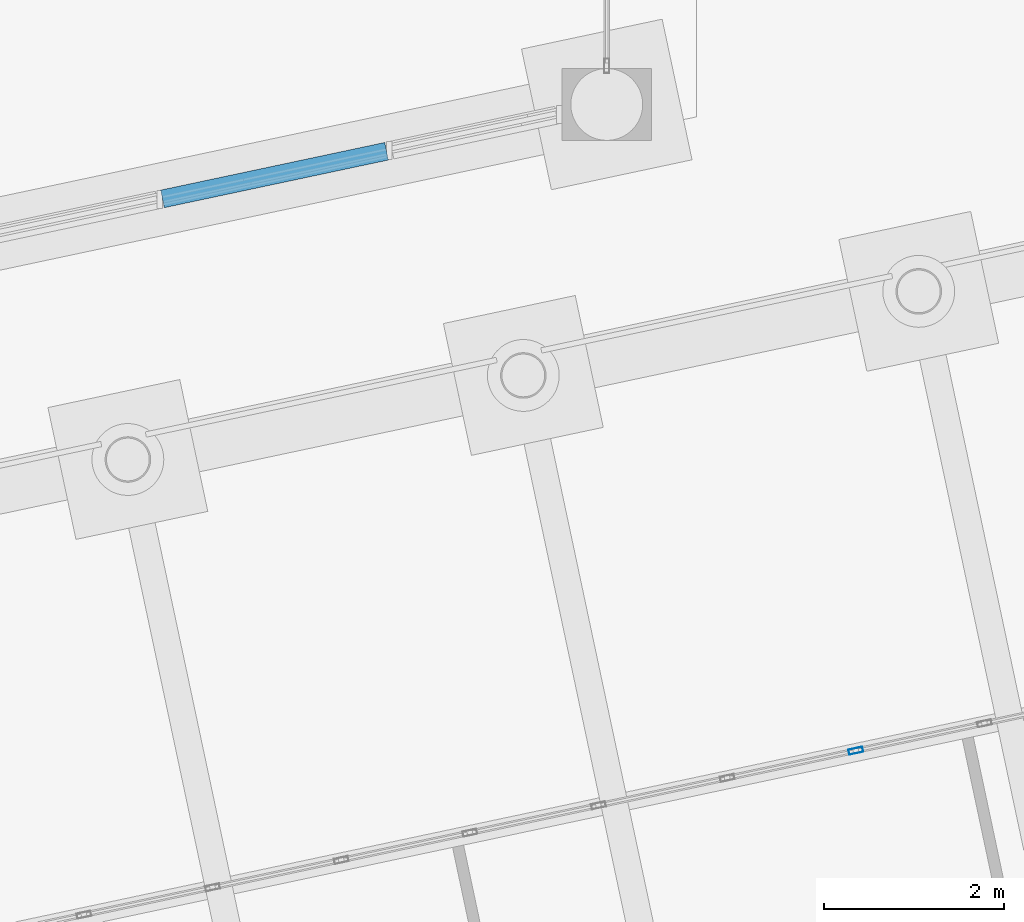
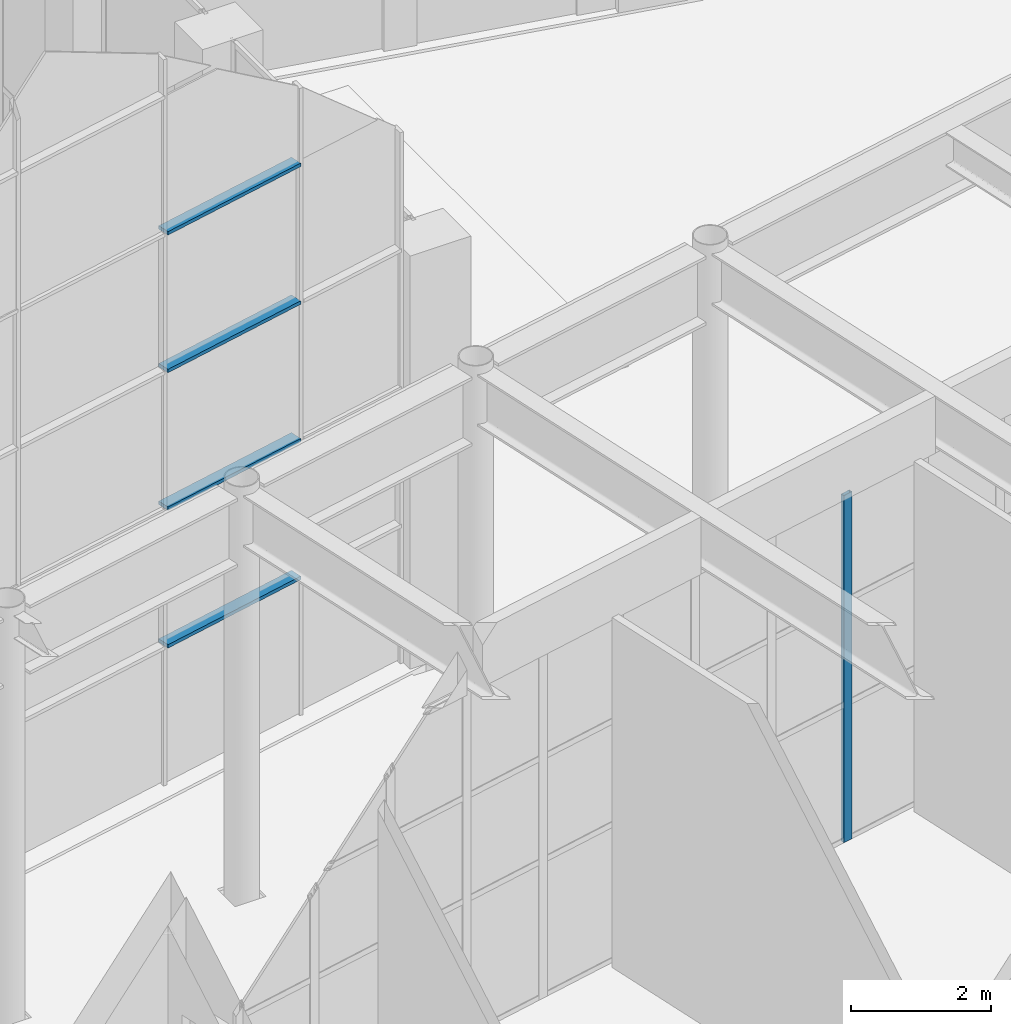
# One storey, part 110 of 239: 5 members, 2 elements without a shape of their own.
"""IFC4 building model written with IfcOpenShell, lengths in metres."""

from ifc_helpers import new_model, si_unit, direction, frame, origin, origin_2d, place, context, subcontext, project, spatial, rectangle, hollow_rectangle, extrude, material, material_profile, profile_set, type_object, element, aggregate, save


model = new_model("IFC4")

# Units and contexts
model_context = context("Model", 3, precision=1e-05, world=origin(), true_north=direction((0.0, 1.0)))
body_context = subcontext(model_context, "Body", "Model", "MODEL_VIEW")
ifc_project = project(units=[si_unit("LENGTHUNIT", "METRE"), si_unit("AREAUNIT", "SQUARE_METRE"), si_unit("VOLUMEUNIT", "CUBIC_METRE"), si_unit("PLANEANGLEUNIT", "RADIAN"), si_unit("MASSUNIT", "GRAM", prefix="KILO")], contexts=[model_context])

# Site, building, storey
site_placement = place(None, origin())
site = spatial("IfcSite", under=ifc_project, at=site_placement, CompositionType="ELEMENT")
building_placement = place(site_placement, origin())
building = spatial("IfcBuilding", under=site, at=building_placement, Name="Okhra Congress Centre", CompositionType="ELEMENT")
storey_placement = place(building_placement, origin())
storey = spatial("IfcBuildingStorey", under=building, at=storey_placement, Name="L00", CompositionType="ELEMENT", Elevation=0.0)

# Curtain wall, members
ifc_material_1 = material(Name="Aluminium frame with triple glazing", Category="aluminium")
curtain_wall_type_1 = type_object("IfcCurtainWallType", Name="Glazed gable curtain wall", PredefinedType="NOTDEFINED", material=ifc_material_1)
curtain_wall_1_placement = place(storey_placement, origin())
curtain_wall_1 = element("IfcCurtainWall", 1, at=curtain_wall_1_placement, inside=storey, type_object=curtain_wall_type_1, Name="South gable glazing", PredefinedType="NOTDEFINED")
ifc_material_2 = material(Name="Aluminium alloy 6063", Category="aluminium")
ifc_material_profile_1 = material_profile(ifc_material_2, rectangle(XDim=0.199951171875, YDim=0.06005859375, at=origin_2d()), Name="AL 200x60 gable transom")
ifc_profile_set_1 = profile_set([ifc_material_profile_1], Name="Aluminium alloy 6063")
member_type_1 = type_object("IfcMemberType", Name="Aluminium gable transom 200x60", PredefinedType="USERDEFINED", material=ifc_profile_set_1)
member_1_placement = place(storey_placement, frame((184.05419921875, 80.317626953125, 2.39990234375), z_axis=(0.978130379976, 0.207992691622, 0.0), x_axis=(-0.207992691622, 0.978130379976, 0.0)))
member_1 = element("IfcMember", 2, at=member_1_placement, type_object=member_type_1, Name="South gable glazing transom 11.1", ObjectType="TRANSOM", PredefinedType="USERDEFINED", context=body_context, shape_type="SweptSolid", body=[
    extrude(rectangle(XDim=0.199951171875, YDim=0.06005859375, at=origin_2d()), origin(), (0.0, 0.0, 1.0), 2.550537109375),
])
member_2_placement = place(storey_placement, frame((184.05419921875, 80.317626953125, 4.800048828125), z_axis=(0.978130379976, 0.207992691622, 0.0), x_axis=(-0.207992691622, 0.978130379976, 0.0)))
member_2 = element("IfcMember", 3, at=member_2_placement, type_object=member_type_1, Name="South gable glazing transom 11.2", ObjectType="TRANSOM", PredefinedType="USERDEFINED", context=body_context, shape_type="SweptSolid", body=[
    extrude(rectangle(XDim=0.199951171875, YDim=0.06005859375, at=origin_2d()), origin(), (0.0, 0.0, 1.0), 2.550537109375),
])
member_3_placement = place(storey_placement, frame((184.05419921875, 80.317626953125, 7.199951171875), z_axis=(0.978130379976, 0.207992691622, 0.0), x_axis=(-0.207992691622, 0.978130379976, 0.0)))
member_3 = element("IfcMember", 4, at=member_3_placement, type_object=member_type_1, Name="South gable glazing transom 11.3", ObjectType="TRANSOM", PredefinedType="USERDEFINED", context=body_context, shape_type="SweptSolid", body=[
    extrude(rectangle(XDim=0.199951171875, YDim=0.06005859375, at=origin_2d()), origin(), (0.0, 0.0, 1.0), 2.550537109375),
])
member_4_placement = place(storey_placement, frame((184.05419921875, 80.317626953125, 9.60009765625), z_axis=(0.978130379976, 0.207992691622, 0.0), x_axis=(-0.207992691622, 0.978130379976, 0.0)))
member_4 = element("IfcMember", 5, at=member_4_placement, type_object=member_type_1, Name="South gable glazing transom 11.4", ObjectType="TRANSOM", PredefinedType="USERDEFINED", context=body_context, shape_type="SweptSolid", body=[
    extrude(rectangle(XDim=0.199951171875, YDim=0.06005859375, at=origin_2d()), origin(), (0.0, 0.0, 1.0), 2.550537109375),
])
aggregate(curtain_wall_1, [member_1, member_2, member_3, member_4])

# Curtain wall, member
ifc_material_3 = material(Name="Aluminium curtain wall, triple glazing", Category="aluminium")
curtain_wall_type_2 = type_object("IfcCurtainWallType", Name="Curtain wall 1500 module", PredefinedType="NOTDEFINED", material=ifc_material_3)
curtain_wall_2_placement = place(storey_placement, origin())
curtain_wall_2 = element("IfcCurtainWall", 6, at=curtain_wall_2_placement, inside=storey, type_object=curtain_wall_type_2, Name="Ground curtain wall N10", PredefinedType="NOTDEFINED")
ifc_material_4 = material(Name="Aluminium alloy EN AW-6063 T66", Category="aluminium")
ifc_material_profile_2 = material_profile(ifc_material_4, hollow_rectangle(XDim=0.06005859375, YDim=0.159912109375, WallThickness=0.00390625, at=origin_2d()), Name="RHS 60x160x4")
ifc_profile_set_2 = profile_set([ifc_material_profile_2], Name="Aluminium alloy EN AW-6063 T66")
member_type_2 = type_object("IfcMemberType", Name="Curtain wall mullion 60x160", PredefinedType="MULLION", material=ifc_profile_set_2)
member_5_placement = place(storey_placement, frame((191.772216796875, 74.176025390625, 0.0), z_axis=(0.0, 0.0, 1.0), x_axis=(-0.207911690818, 0.978147600734, 0.0)))
member_5 = element("IfcMember", 7, at=member_5_placement, type_object=member_type_2, Name="CW7 mullion 9", PredefinedType="MULLION", context=body_context, shape_type="SweptSolid", body=[
    extrude(hollow_rectangle(XDim=0.06005859375, YDim=0.159912109375, WallThickness=0.00390625, at=origin_2d()), origin(), (0.0, 0.0, 1.0), 6.050048828125),
])
aggregate(curtain_wall_2, [member_5])

save(model, "model.ifc")
